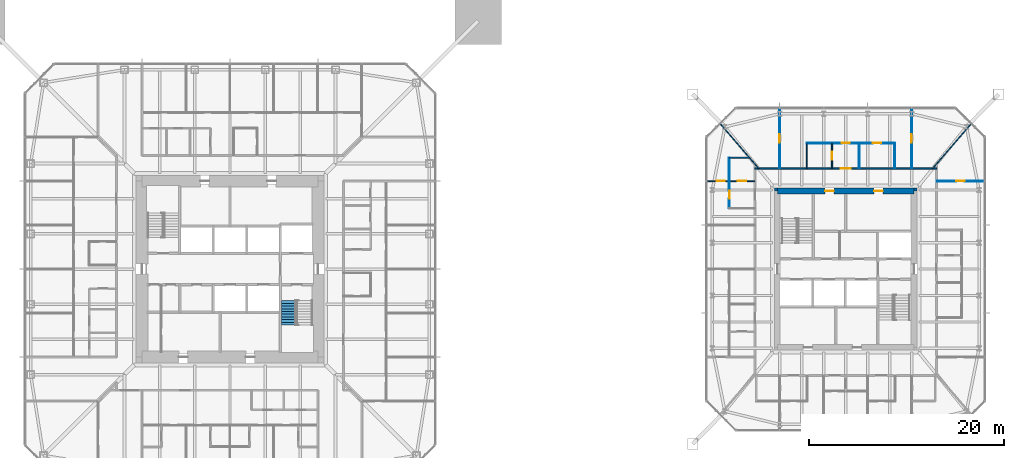
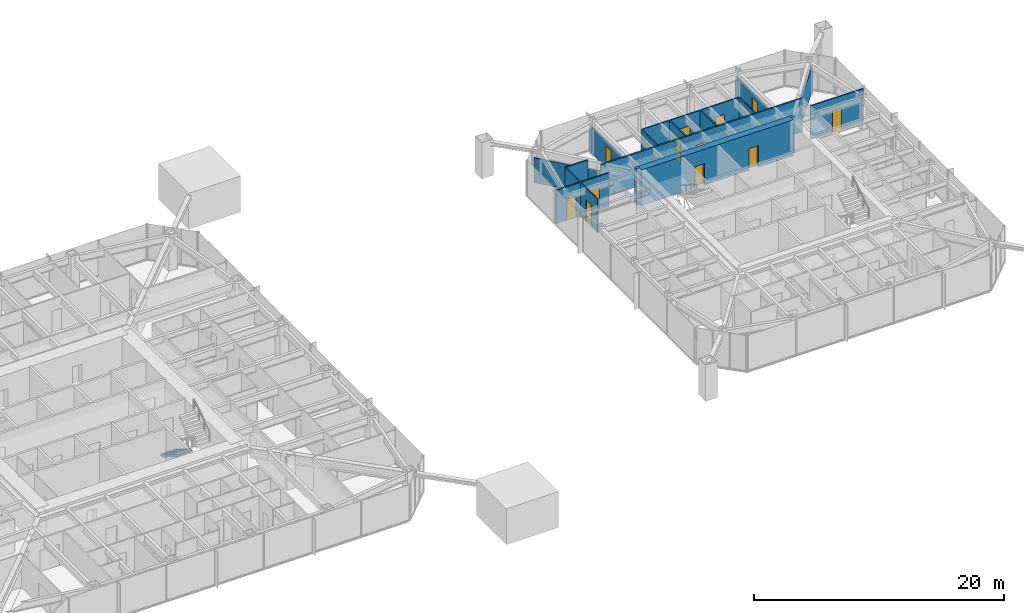
# One storey, part 19 of 25: 17 walls, 12 doors, 1 stair flight, 12 openings, 1 element without a shape of its own.
"""IFC4 building model written with IfcOpenShell, lengths in metres."""

from ifc_helpers import new_model, si_unit, direction, frame, frame_2d, origin, place, context, subcontext, project, spatial, polyline, rectangle, outline, extrude, material, layer, layer_set, constituent, constituent_set, type_object, element, fill, aggregate, save


model = new_model("IFC4")

# Units and contexts
model_context = context("Model", 3, precision=1e-05, world=origin(), true_north=direction((0.0, 1.0)))
body_context = subcontext(model_context, "Body", "Model", "MODEL_VIEW")
ifc_project = project(units=[si_unit("LENGTHUNIT", "METRE"), si_unit("AREAUNIT", "SQUARE_METRE"), si_unit("VOLUMEUNIT", "CUBIC_METRE"), si_unit("PLANEANGLEUNIT", "RADIAN"), si_unit("MASSUNIT", "GRAM", prefix="KILO")], contexts=[model_context])

# Site, building, storey
site_placement = place(None, origin())
site = spatial("IfcSite", under=ifc_project, at=site_placement, CompositionType="ELEMENT")
building_placement = place(site_placement, origin())
building = spatial("IfcBuilding", under=site, at=building_placement, Name="Iwan Alto Co-Living Towers", CompositionType="ELEMENT")
storey_placement = place(building_placement, frame((0.0, 0.0, 84.0)))
storey = spatial("IfcBuildingStorey", under=building, at=storey_placement, Name="L22", CompositionType="ELEMENT", Elevation=84.0)

# Wall, opening, door
ifc_material_1 = material(Name="Gypsum board")
ifc_layer_1 = layer(ifc_material_1, 0.02490234375, Name="Board", Category="Finish")
ifc_material_2 = material(Name="Steel ASTM A1003 ST33H cold-formed studs", Category="steel")
ifc_layer_2 = layer(ifc_material_2, 0.10009765625, Name="Studs", Category="Framing")
ifc_layer_3 = layer(ifc_material_1, 0.02490234375, Name="Board", Category="Finish")
ifc_layer_set_1 = layer_set([ifc_layer_1, ifc_layer_2, ifc_layer_3], Name="CORRIDOR WALL 150")
wall_type_1 = type_object("IfcWallType", Name="CORRIDOR WALL 150", PredefinedType="PARTITIONING", material=ifc_layer_set_1)
wall_1_placement = place(storey_placement, frame((53.699951171875, 10.300048828125, 0.0), z_axis=(0.0, 0.0, 1.0), x_axis=(1.0, 0.0, 0.0)))
wall_1 = element("IfcWall", 1, at=wall_1_placement, inside=storey, type_object=wall_type_1, Name="Partition L22", PredefinedType="PARTITIONING", context=body_context, shape_type="SweptSolid", body=[
    extrude(rectangle(XDim=18.60009765625, YDim=0.14990234375, at=frame_2d((9.300048828125, 0.0))), origin(), (0.0, 0.0, 1.0), 3.27001953125),
])
opening_1_placement = place(wall_1_placement, frame((8.800048828125, 0.0, 0.0)))
opening_1 = element("IfcOpeningElement", 2, at=opening_1_placement, cuts=wall_1, Name="Opening D3", PredefinedType="OPENING", context=body_context, shape_type="SweptSolid", body=[
    extrude(rectangle(XDim=1.0, YDim=2.10009765625, at=frame_2d((0.5, 1.050048828125))), frame((0.0, 0.0849609375, 0.0), z_axis=(0.0, -1.0, 0.0), x_axis=(1.0, 0.0, 0.0)), (0.0, 0.0, 1.0), 0.169921875),
])
ifc_material_3 = material(Name="Steel frame with timber leaf", Category="steel")
door_type_1 = type_object("IfcDoorType", Name="FLAT ENTRANCE DOOR FD30S 1000X2100", OperationType="SINGLE_SWING_LEFT", PredefinedType="DOOR", material=ifc_material_3)
door_1_placement = place(opening_1_placement, origin())
door_1 = element("IfcDoor", 3, at=door_1_placement, inside=storey, type_object=door_type_1, Name="Apartment foyer door L22", OperationType="SINGLE_SWING_LEFT", OverallHeight=2.10009765625, OverallWidth=1.0, PredefinedType="DOOR", context=body_context, shape_type="SweptSolid", body=[
    extrude(rectangle(XDim=1.0, YDim=2.10009765625, at=frame_2d((0.5, 1.050048828125))), frame((0.0, 0.02490234375, 0.0), z_axis=(0.0, -1.0, 0.0), x_axis=(1.0, 0.0, 0.0)), (0.0, 0.0, 1.0), 0.050048828125),
])
fill(opening_1, door_1)

ifc_layer_4 = layer(ifc_material_1, 0.012451171875, Name="Board", Category="Finish")
ifc_layer_5 = layer(ifc_material_2, 0.074951171875, Name="Studs", Category="Framing")
ifc_layer_6 = layer(ifc_material_1, 0.012451171875, Name="Board", Category="Finish")
ifc_layer_set_2 = layer_set([ifc_layer_4, ifc_layer_5, ifc_layer_6], Name="PARTITION 100")
wall_type_2 = type_object("IfcWallType", Name="PARTITION 100", PredefinedType="PARTITIONING", material=ifc_layer_set_2)
wall_2_placement = place(storey_placement, frame((72.300048828125, 9.0, 0.0), z_axis=(0.0, 0.0, 1.0), x_axis=(1.0, 0.0, 0.0)))
wall_2 = element("IfcWall", 4, at=wall_2_placement, inside=storey, type_object=wall_type_2, Name="Partition L22", PredefinedType="PARTITIONING", context=body_context, shape_type="SweptSolid", body=[
    extrude(rectangle(XDim=4.889892578125, YDim=0.10009765625, at=frame_2d((2.44482421875, 0.0))), origin(), (0.0, 0.0, 1.0), 3.27001953125),
])
opening_2_placement = place(wall_2_placement, frame((2.02001953125, 0.0, 0.0)))
opening_2 = element("IfcOpeningElement", 5, at=opening_2_placement, cuts=wall_2, Name="Opening D2", PredefinedType="OPENING", context=body_context, shape_type="SweptSolid", body=[
    extrude(rectangle(XDim=0.85009765625, YDim=2.10009765625, at=frame_2d((0.425048828125, 1.050048828125))), frame((0.0, 0.06005859375, 0.0), z_axis=(0.0, -1.0, 0.0), x_axis=(1.0, 0.0, 0.0)), (0.0, 0.0, 1.0), 0.1201171875),
])
ifc_material_4 = material(Name="Timber leaf in steel frame", Category="steel")
door_type_2 = type_object("IfcDoorType", Name="ROOM DOOR 850X2100", OperationType="SINGLE_SWING_LEFT", PredefinedType="DOOR", material=ifc_material_4)
door_2_placement = place(opening_2_placement, frame((0.85009765625, 0.0, 0.0), z_axis=(0.0, 0.0, 1.0), x_axis=(-1.0, 0.0, 0.0)))
door_2 = element("IfcDoor", 6, at=door_2_placement, inside=storey, type_object=door_type_2, Name="Bedroom door L22", OperationType="SINGLE_SWING_RIGHT", OverallHeight=2.10009765625, OverallWidth=0.85009765625, PredefinedType="DOOR", context=body_context, shape_type="SweptSolid", body=[
    extrude(rectangle(XDim=0.85009765625, YDim=2.10009765625, at=frame_2d((0.425048828125, 1.050048828125))), frame((0.0, 0.02490234375, 0.0), z_axis=(0.0, -1.0, 0.0), x_axis=(1.0, 0.0, 0.0)), (0.0, 0.0, 1.0), 0.050048828125),
])
fill(opening_2, door_2)

# Wall, openings, doors
wall_3_placement = place(storey_placement, frame((59.0, 12.89990234375, 0.0), z_axis=(0.0, 0.0, 1.0), x_axis=(1.0, 0.0, 0.0)))
wall_3 = element("IfcWall", 7, at=wall_3_placement, inside=storey, type_object=wall_type_2, Name="Partition L22", PredefinedType="PARTITIONING", context=body_context, shape_type="SweptSolid", body=[
    extrude(rectangle(XDim=9.0, YDim=0.10009765625, at=frame_2d((4.5, 0.0))), origin(), (0.0, 0.0, 1.0), 3.27001953125),
])
opening_3_placement = place(wall_3_placement, frame((6.77490234375, 0.0, 0.0)))
opening_3 = element("IfcOpeningElement", 8, at=opening_3_placement, cuts=wall_3, Name="Opening D2", PredefinedType="OPENING", context=body_context, shape_type="SweptSolid", body=[
    extrude(rectangle(XDim=0.85009765625, YDim=2.10009765625, at=frame_2d((0.425048828125, 1.050048828125))), frame((0.0, 0.06005859375, 0.0), z_axis=(0.0, -1.0, 0.0), x_axis=(1.0, 0.0, 0.0)), (0.0, 0.0, 1.0), 0.1201171875),
])
opening_4_placement = place(wall_3_placement, frame((3.574951171875, 0.0, 0.0)))
opening_4 = element("IfcOpeningElement", 9, at=opening_4_placement, cuts=wall_3, Name="Opening D2", PredefinedType="OPENING", context=body_context, shape_type="SweptSolid", body=[
    extrude(rectangle(XDim=0.85009765625, YDim=2.10009765625, at=frame_2d((0.425048828125, 1.050048828125))), frame((0.0, 0.06005859375, 0.0), z_axis=(0.0, -1.0, 0.0), x_axis=(1.0, 0.0, 0.0)), (0.0, 0.0, 1.0), 0.1201171875),
])
door_3_placement = place(opening_3_placement, origin())
door_3 = element("IfcDoor", 10, at=door_3_placement, inside=storey, type_object=door_type_2, Name="Kitchen door L22", OperationType="SINGLE_SWING_RIGHT", OverallHeight=2.10009765625, OverallWidth=0.85009765625, PredefinedType="DOOR", context=body_context, shape_type="SweptSolid", body=[
    extrude(rectangle(XDim=0.85009765625, YDim=2.10009765625, at=frame_2d((0.425048828125, 1.050048828125))), frame((0.0, 0.02490234375, 0.0), z_axis=(0.0, -1.0, 0.0), x_axis=(1.0, 0.0, 0.0)), (0.0, 0.0, 1.0), 0.050048828125),
])
fill(opening_3, door_3)
door_4_placement = place(opening_4_placement, origin())
door_4 = element("IfcDoor", 11, at=door_4_placement, inside=storey, type_object=door_type_2, Name="Apartment foyer door L22", OperationType="SINGLE_SWING_LEFT", OverallHeight=2.10009765625, OverallWidth=0.85009765625, PredefinedType="DOOR", context=body_context, shape_type="SweptSolid", body=[
    extrude(rectangle(XDim=0.85009765625, YDim=2.10009765625, at=frame_2d((0.425048828125, 1.050048828125))), frame((0.0, 0.02490234375, 0.0), z_axis=(0.0, -1.0, 0.0), x_axis=(1.0, 0.0, 0.0)), (0.0, 0.0, 1.0), 0.050048828125),
])
fill(opening_4, door_4)

# Wall
wall_4_placement = place(storey_placement, frame((71.89501953125, 10.300048828125, 0.0), z_axis=(0.0, 0.0, 1.0), x_axis=(0.65378286253, 0.756682211144, 0.0)))
element("IfcWall", 12, at=wall_4_placement, inside=storey, type_object=wall_type_2, Name="Partition L22", PredefinedType="PARTITIONING", context=body_context, shape_type="SweptSolid", body=[
    extrude(rectangle(XDim=6.005126953125, YDim=0.10009765625, at=frame_2d((3.00244140625, 0.0))), origin(), (0.0, 0.0, 1.0), 2.42919921875),
])

# Wall, opening, door
wall_5_placement = place(storey_placement, frame((69.75, 10.300048828125, 0.0), z_axis=(0.0, 0.0, 1.0), x_axis=(0.0, 1.0, 0.0)))
wall_5 = element("IfcWall", 13, at=wall_5_placement, inside=storey, type_object=wall_type_2, Name="Partition L22", PredefinedType="PARTITIONING", context=body_context, shape_type="SweptSolid", body=[
    extrude(rectangle(XDim=6.139892578125, YDim=0.10009765625, at=frame_2d((3.06982421875, 0.0))), origin(), (0.0, 0.0, 1.0), 2.586669921875),
])
opening_5_placement = place(wall_5_placement, frame((2.64501953125, 0.0, 0.0)))
opening_5 = element("IfcOpeningElement", 14, at=opening_5_placement, cuts=wall_5, Name="Opening D2", PredefinedType="OPENING", context=body_context, shape_type="SweptSolid", body=[
    extrude(rectangle(XDim=0.85009765625, YDim=2.10009765625, at=frame_2d((0.425048828125, 1.050048828125))), frame((0.0, 0.06005859375, 0.0), z_axis=(0.0, -1.0, 0.0), x_axis=(1.0, 0.0, 0.0)), (0.0, 0.0, 1.0), 0.1201171875),
])
door_5_placement = place(opening_5_placement, origin())
door_5 = element("IfcDoor", 15, at=door_5_placement, inside=storey, type_object=door_type_2, Name="Bedroom door L22", OperationType="SINGLE_SWING_LEFT", OverallHeight=2.10009765625, OverallWidth=0.85009765625, PredefinedType="DOOR", context=body_context, shape_type="SweptSolid", body=[
    extrude(rectangle(XDim=0.85009765625, YDim=2.10009765625, at=frame_2d((0.425048828125, 1.050048828125))), frame((0.0, 0.02490234375, 0.0), z_axis=(0.0, -1.0, 0.0), x_axis=(1.0, 0.0, 0.0)), (0.0, 0.0, 1.0), 0.050048828125),
])
fill(opening_5, door_5)

# Walls
for number, where, z_axis, x_axis, name in (
    (16, (68.0, 10.300048828125, 0.0), (0.0, 0.0, 1.0), (0.0, 1.0, 0.0), "Partition L22"),
    (17, (64.39990234375, 10.300048828125, 0.0), (0.0, 0.0, 1.0), (0.0, 1.0, 0.0), "Partition L22"),
):
    element("IfcWall", number, at=place(storey_placement, frame(where, z_axis=z_axis, x_axis=x_axis)), inside=storey, type_object=wall_type_2, Name=name, PredefinedType="PARTITIONING", context=body_context, shape_type="SweptSolid", body=[
        extrude(rectangle(XDim=2.599853515625, YDim=0.10009765625, at=frame_2d((1.2998046875, 0.0))), origin(), (0.0, 0.0, 1.0), 3.27001953125),
    ])

# Wall, opening, door
wall_6_placement = place(storey_placement, frame((56.25, 10.300048828125, 0.0), z_axis=(0.0, 0.0, 1.0), x_axis=(0.0, 1.0, 0.0)))
wall_6 = element("IfcWall", 18, at=wall_6_placement, inside=storey, type_object=wall_type_2, Name="Partition L22", PredefinedType="PARTITIONING", context=body_context, shape_type="SweptSolid", body=[
    extrude(rectangle(XDim=6.139892578125, YDim=0.10009765625, at=frame_2d((3.06982421875, 0.0))), origin(), (0.0, 0.0, 1.0), 2.586669921875),
])
opening_6_placement = place(wall_6_placement, frame((2.64501953125, 0.0, 0.0)))
opening_6 = element("IfcOpeningElement", 19, at=opening_6_placement, cuts=wall_6, Name="Opening D2", PredefinedType="OPENING", context=body_context, shape_type="SweptSolid", body=[
    extrude(rectangle(XDim=0.85009765625, YDim=2.10009765625, at=frame_2d((0.425048828125, 1.050048828125))), frame((0.0, 0.06005859375, 0.0), z_axis=(0.0, -1.0, 0.0), x_axis=(1.0, 0.0, 0.0)), (0.0, 0.0, 1.0), 0.1201171875),
])
door_6_placement = place(opening_6_placement, frame((0.85009765625, 0.0, 0.0), z_axis=(0.0, 0.0, 1.0), x_axis=(-1.0, 0.0, 0.0)))
door_6 = element("IfcDoor", 20, at=door_6_placement, inside=storey, type_object=door_type_2, Name="Bedroom door L22", OperationType="SINGLE_SWING_RIGHT", OverallHeight=2.10009765625, OverallWidth=0.85009765625, PredefinedType="DOOR", context=body_context, shape_type="SweptSolid", body=[
    extrude(rectangle(XDim=0.85009765625, YDim=2.10009765625, at=frame_2d((0.425048828125, 1.050048828125))), frame((0.0, 0.02490234375, 0.0), z_axis=(0.0, -1.0, 0.0), x_axis=(1.0, 0.0, 0.0)), (0.0, 0.0, 1.0), 0.050048828125),
])
fill(opening_6, door_6)

wall_7_placement = place(storey_placement, frame((51.10009765625, 6.199951171875, 0.0), z_axis=(0.0, 0.0, 1.0), x_axis=(0.0, 1.0, 0.0)))
wall_7 = element("IfcWall", 21, at=wall_7_placement, inside=storey, type_object=wall_type_2, Name="Partition L22", PredefinedType="PARTITIONING", context=body_context, shape_type="SweptSolid", body=[
    extrude(rectangle(XDim=5.199951171875, YDim=0.10009765625, at=frame_2d((2.60009765625, 0.0))), origin(), (0.0, 0.0, 1.0), 3.27001953125),
])
opening_7_placement = place(wall_7_placement, frame((0.97509765625, 0.0, 0.0)))
opening_7 = element("IfcOpeningElement", 22, at=opening_7_placement, cuts=wall_7, Name="Opening D2", PredefinedType="OPENING", context=body_context, shape_type="SweptSolid", body=[
    extrude(rectangle(XDim=0.85009765625, YDim=2.10009765625, at=frame_2d((0.425048828125, 1.050048828125))), frame((0.0, 0.06005859375, 0.0), z_axis=(0.0, -1.0, 0.0), x_axis=(1.0, 0.0, 0.0)), (0.0, 0.0, 1.0), 0.1201171875),
])
door_7_placement = place(opening_7_placement, origin())
door_7 = element("IfcDoor", 23, at=door_7_placement, inside=storey, type_object=door_type_2, Name="Apartment foyer door L22", OperationType="SINGLE_SWING_RIGHT", OverallHeight=2.10009765625, OverallWidth=0.85009765625, PredefinedType="DOOR", context=body_context, shape_type="SweptSolid", body=[
    extrude(rectangle(XDim=0.85009765625, YDim=2.10009765625, at=frame_2d((0.425048828125, 1.050048828125))), frame((0.0, 0.02490234375, 0.0), z_axis=(0.0, -1.0, 0.0), x_axis=(1.0, 0.0, 0.0)), (0.0, 0.0, 1.0), 0.050048828125),
])
fill(opening_7, door_7)

# Walls
wall_8_placement = place(storey_placement, frame((54.10498046875, 10.300048828125, 0.0), z_axis=(0.0, 0.0, 1.0), x_axis=(-0.653606109319, 0.756834892074, 0.0)))
element("IfcWall", 24, at=wall_8_placement, inside=storey, type_object=wall_type_2, Name="Partition L22", PredefinedType="PARTITIONING", context=body_context, shape_type="SweptSolid", body=[
    extrude(rectangle(XDim=6.0048828125, YDim=0.10009765625, at=frame_2d((3.00244140625, 0.0))), origin(), (0.0, 0.0, 1.0), 2.42919921875),
])
ifc_material_5 = material(Name="Concrete f'c 70 MPa", Category="concrete")
ifc_layer_7 = layer(ifc_material_5, 0.300048828125)
ifc_layer_set_3 = layer_set([ifc_layer_7], Name="T2 CORE CORNER FILL 300")
wall_type_3 = type_object("IfcWallType", Name="T2 CORE CORNER FILL 300", PredefinedType="SOLIDWALL", material=ifc_layer_set_3)
for number, where, z_axis, x_axis, name in (
    (25, (70.0, 8.14990234375, 0.0), (0.0, 0.0, 1.0), (1.0, 0.0, 0.0), "T2 core corner NE L22"),
    (26, (55.699951171875, 8.14990234375, 0.0), (0.0, 0.0, 1.0), (1.0, 0.0, 0.0), "T2 core corner NW L22"),
):
    element("IfcWall", number, at=place(storey_placement, frame(where, z_axis=z_axis, x_axis=x_axis)), inside=storey, type_object=wall_type_3, Name=name, PredefinedType="SOLIDWALL", context=body_context, shape_type="SweptSolid", body=[
        extrude(rectangle(XDim=0.300048828125, YDim=0.300048828125, at=frame_2d((0.14990234375, 0.0))), origin(), (0.0, 0.0, 1.0), 3.5),
    ])

# Wall, openings, doors
ifc_material_6 = material(Name="Concrete f'c 70 MPa", Category="concrete")
ifc_layer_8 = layer(ifc_material_6, 0.60009765625)
ifc_layer_set_4 = layer_set([ifc_layer_8], Name="T2 CORE WALL 600")
wall_type_4 = type_object("IfcWallType", Name="T2 CORE WALL 600", PredefinedType="SHEAR", material=ifc_layer_set_4)
wall_9_placement = place(storey_placement, frame((70.0, 8.0, 0.0), z_axis=(0.0, 0.0, 1.0), x_axis=(-1.0, 0.0, 0.0)))
wall_9 = element("IfcWall", 27, at=wall_9_placement, inside=storey, type_object=wall_type_4, Name="T2 core wall N L22", PredefinedType="SHEAR", context=body_context, shape_type="SweptSolid", body=[
    extrude(rectangle(XDim=14.0, YDim=0.60009765625, at=frame_2d((7.0, 0.0))), origin(), (0.0, 0.0, 1.0), 3.5),
])
opening_8_placement = place(wall_9_placement, frame((8.199951171875, 0.0, 0.0)))
opening_8 = element("IfcOpeningElement", 28, at=opening_8_placement, cuts=wall_9, Name="Opening D8", PredefinedType="OPENING", context=body_context, shape_type="SweptSolid", body=[
    extrude(rectangle(XDim=0.89990234375, YDim=2.10009765625, at=frame_2d((0.449951171875, 1.050048828125))), frame((0.0, 0.31005859375, 0.0), z_axis=(0.0, -1.0, 0.0), x_axis=(1.0, 0.0, 0.0)), (0.0, 0.0, 1.0), 0.6201171875),
])
opening_9_placement = place(wall_9_placement, frame((3.199951171875, 0.0, 0.0)))
opening_9 = element("IfcOpeningElement", 29, at=opening_9_placement, cuts=wall_9, Name="Opening D8", PredefinedType="OPENING", context=body_context, shape_type="SweptSolid", body=[
    extrude(rectangle(XDim=0.89990234375, YDim=2.10009765625, at=frame_2d((0.449951171875, 1.050048828125))), frame((0.0, 0.31005859375, 0.0), z_axis=(0.0, -1.0, 0.0), x_axis=(1.0, 0.0, 0.0)), (0.0, 0.0, 1.0), 0.6201171875),
])
ifc_material_7 = material(Name="Steel frame with timber leaf", Category="steel")
door_type_3 = type_object("IfcDoorType", Name="RISER DOOR FD120 900X2100", OperationType="SINGLE_SWING_LEFT", PredefinedType="DOOR", material=ifc_material_7)
door_8_placement = place(opening_8_placement, origin())
door_8 = element("IfcDoor", 30, at=door_8_placement, inside=storey, type_object=door_type_3, Name="Electrical riser core door L22", OperationType="SINGLE_SWING_RIGHT", OverallHeight=2.10009765625, OverallWidth=0.89990234375, PredefinedType="DOOR", context=body_context, shape_type="SweptSolid", body=[
    extrude(rectangle(XDim=0.89990234375, YDim=2.10009765625, at=frame_2d((0.449951171875, 1.050048828125))), frame((0.0, 0.02490234375, 0.0), z_axis=(0.0, -1.0, 0.0), x_axis=(1.0, 0.0, 0.0)), (0.0, 0.0, 1.0), 0.050048828125),
])
fill(opening_8, door_8)
door_9_placement = place(opening_9_placement, origin())
door_9 = element("IfcDoor", 31, at=door_9_placement, inside=storey, type_object=door_type_3, Name="Water and drainage riser core door L22", OperationType="SINGLE_SWING_RIGHT", OverallHeight=2.10009765625, OverallWidth=0.89990234375, PredefinedType="DOOR", context=body_context, shape_type="SweptSolid", body=[
    extrude(rectangle(XDim=0.89990234375, YDim=2.10009765625, at=frame_2d((0.449951171875, 1.050048828125))), frame((0.0, 0.02490234375, 0.0), z_axis=(0.0, -1.0, 0.0), x_axis=(1.0, 0.0, 0.0)), (0.0, 0.0, 1.0), 0.050048828125),
])
fill(opening_9, door_9)

ifc_material_8 = material(Name="Cement board")
ifc_layer_9 = layer(ifc_material_8, 0.012451171875, Name="Board", Category="Finish")
ifc_layer_10 = layer(ifc_material_2, 0.094970703125, Name="Studs", Category="Framing")
ifc_layer_11 = layer(ifc_material_8, 0.012451171875, Name="Board", Category="Finish")
ifc_layer_set_5 = layer_set([ifc_layer_9, ifc_layer_10, ifc_layer_11], Name="WET AREA PARTITION 120")
wall_type_5 = type_object("IfcWallType", Name="WET AREA PARTITION 120", PredefinedType="PARTITIONING", material=ifc_layer_set_5)
wall_10_placement = place(storey_placement, frame((48.81005859375, 9.0, 0.0), z_axis=(0.0, 0.0, 1.0), x_axis=(1.0, 0.0, 0.0)))
wall_10 = element("IfcWall", 32, at=wall_10_placement, inside=storey, type_object=wall_type_5, Name="Partition L22", PredefinedType="PARTITIONING", context=body_context, shape_type="SweptSolid", body=[
    extrude(rectangle(XDim=4.889892578125, YDim=0.1201171875, at=frame_2d((2.44482421875, 0.0))), origin(), (0.0, 0.0, 1.0), 3.27001953125),
])
opening_10_placement = place(wall_10_placement, frame((3.1650390625, 0.0, 0.0)))
opening_10 = element("IfcOpeningElement", 33, at=opening_10_placement, cuts=wall_10, Name="Opening D2", PredefinedType="OPENING", context=body_context, shape_type="SweptSolid", body=[
    extrude(rectangle(XDim=0.85009765625, YDim=2.10009765625, at=frame_2d((0.425048828125, 1.050048828125))), frame((0.0, 0.070068359375, 0.0), z_axis=(0.0, -1.0, 0.0), x_axis=(1.0, 0.0, 0.0)), (0.0, 0.0, 1.0), 0.14013671875),
])
opening_11_placement = place(wall_10_placement, frame((0.989990234375, 0.0, 0.0)))
opening_11 = element("IfcOpeningElement", 34, at=opening_11_placement, cuts=wall_10, Name="Opening D2", PredefinedType="OPENING", context=body_context, shape_type="SweptSolid", body=[
    extrude(rectangle(XDim=0.85009765625, YDim=2.10009765625, at=frame_2d((0.425048828125, 1.050048828125))), frame((0.0, 0.070068359375, 0.0), z_axis=(0.0, -1.0, 0.0), x_axis=(1.0, 0.0, 0.0)), (0.0, 0.0, 1.0), 0.14013671875),
])
door_10_placement = place(opening_10_placement, origin())
door_10 = element("IfcDoor", 35, at=door_10_placement, inside=storey, type_object=door_type_2, Name="Bathroom door L22", OperationType="SINGLE_SWING_LEFT", OverallHeight=2.10009765625, OverallWidth=0.85009765625, PredefinedType="DOOR", context=body_context, shape_type="SweptSolid", body=[
    extrude(rectangle(XDim=0.85009765625, YDim=2.10009765625, at=frame_2d((0.425048828125, 1.050048828125))), frame((0.0, 0.02490234375, 0.0), z_axis=(0.0, -1.0, 0.0), x_axis=(1.0, 0.0, 0.0)), (0.0, 0.0, 1.0), 0.050048828125),
])
fill(opening_10, door_10)
door_11_placement = place(opening_11_placement, origin())
door_11 = element("IfcDoor", 36, at=door_11_placement, inside=storey, type_object=door_type_2, Name="Bedroom door L22", OperationType="SINGLE_SWING_RIGHT", OverallHeight=2.10009765625, OverallWidth=0.85009765625, PredefinedType="DOOR", context=body_context, shape_type="SweptSolid", body=[
    extrude(rectangle(XDim=0.85009765625, YDim=2.10009765625, at=frame_2d((0.425048828125, 1.050048828125))), frame((0.0, 0.02490234375, 0.0), z_axis=(0.0, -1.0, 0.0), x_axis=(1.0, 0.0, 0.0)), (0.0, 0.0, 1.0), 0.050048828125),
])
fill(opening_11, door_11)

# Wall
wall_11_placement = place(storey_placement, frame((51.10009765625, 11.39990234375, 0.0), z_axis=(0.0, 0.0, 1.0), x_axis=(1.0, 0.0, 0.0)))
element("IfcWall", 37, at=wall_11_placement, inside=storey, type_object=wall_type_5, Name="Partition L22", PredefinedType="PARTITIONING", context=body_context, shape_type="SweptSolid", body=[
    extrude(rectangle(XDim=2.054931640625, YDim=0.1201171875, at=frame_2d((1.02734375, 0.0))), origin(), (0.0, 0.0, 1.0), 3.27001953125),
])

# Wall, opening, door
wall_12_placement = place(storey_placement, frame((61.60009765625, 10.300048828125, 0.0), z_axis=(0.0, 0.0, 1.0), x_axis=(0.0, 1.0, 0.0)))
wall_12 = element("IfcWall", 38, at=wall_12_placement, inside=storey, type_object=wall_type_5, Name="Partition L22", PredefinedType="PARTITIONING", context=body_context, shape_type="SweptSolid", body=[
    extrude(rectangle(XDim=2.599853515625, YDim=0.1201171875, at=frame_2d((1.2998046875, 0.0))), origin(), (0.0, 0.0, 1.0), 3.27001953125),
])
opening_12_placement = place(wall_12_placement, frame((0.875, 0.0, 0.0)))
opening_12 = element("IfcOpeningElement", 39, at=opening_12_placement, cuts=wall_12, Name="Opening D2", PredefinedType="OPENING", context=body_context, shape_type="SweptSolid", body=[
    extrude(rectangle(XDim=0.85009765625, YDim=2.10009765625, at=frame_2d((0.425048828125, 1.050048828125))), frame((0.0, 0.070068359375, 0.0), z_axis=(0.0, -1.0, 0.0), x_axis=(1.0, 0.0, 0.0)), (0.0, 0.0, 1.0), 0.14013671875),
])
door_12_placement = place(opening_12_placement, origin())
door_12 = element("IfcDoor", 40, at=door_12_placement, inside=storey, type_object=door_type_2, Name="Bathroom door L22", OperationType="SINGLE_SWING_LEFT", OverallHeight=2.10009765625, OverallWidth=0.85009765625, PredefinedType="DOOR", context=body_context, shape_type="SweptSolid", body=[
    extrude(rectangle(XDim=0.85009765625, YDim=2.10009765625, at=frame_2d((0.425048828125, 1.050048828125))), frame((0.0, 0.02490234375, 0.0), z_axis=(0.0, -1.0, 0.0), x_axis=(1.0, 0.0, 0.0)), (0.0, 0.0, 1.0), 0.050048828125),
])
fill(opening_12, door_12)

# Wall
wall_13_placement = place(storey_placement, frame((59.0, 10.300048828125, 0.0), z_axis=(0.0, 0.0, 1.0), x_axis=(0.0, 1.0, 0.0)))
element("IfcWall", 41, at=wall_13_placement, inside=storey, type_object=wall_type_5, Name="Partition L22", PredefinedType="PARTITIONING", context=body_context, shape_type="SweptSolid", body=[
    extrude(rectangle(XDim=2.599853515625, YDim=0.1201171875, at=frame_2d((1.2998046875, 0.0))), origin(), (0.0, 0.0, 1.0), 3.27001953125),
])

# Stair, stair flight
ifc_material_9 = material(Name="Steel ASTM A36", Category="steel")
ifc_constituent_1 = constituent(ifc_material_9, Name="Stringers", Category="LoadBearing")
ifc_material_10 = material(Name="Concrete f'c 30 MPa", Category="concrete")
ifc_constituent_2 = constituent(ifc_material_10, Name="Tread fill", Category="Finish")
ifc_constituent_set_1 = constituent_set(constituents=[ifc_constituent_1, ifc_constituent_2], Name="STAIR 3500 TWO-FLIGHT T1 CORE")
stair_type = type_object("IfcStairType", Name="STAIR 3500 TWO-FLIGHT T1 CORE", PredefinedType="HALF_TURN_STAIR", material=ifc_constituent_set_1)
stair_placement = place(storey_placement, origin())
stair = element("IfcStair", 42, at=stair_placement, inside=storey, type_object=stair_type, Name="Stair T1-S2 L22 to L23", PredefinedType="HALF_TURN_STAIR")
ifc_constituent_3 = constituent(ifc_material_9, Name="Stringers", Category="LoadBearing")
ifc_constituent_4 = constituent(ifc_material_10, Name="Tread fill", Category="Finish")
ifc_constituent_set_2 = constituent_set(constituents=[ifc_constituent_3, ifc_constituent_4], Name="STAIR FLIGHT 10 RISERS 280 GOING")
stair_flight_type = type_object("IfcStairFlightType", Name="STAIR FLIGHT 10 RISERS 280 GOING", PredefinedType="STRAIGHT", material=ifc_constituent_set_2)
stair_flight_placement = place(storey_placement, frame((6.010009765625, -3.219970703125, 0.0), z_axis=(0.0, 0.0, 1.0), x_axis=(0.0, -1.0, 0.0)))
stair_flight = element("IfcStairFlight", 43, at=stair_flight_placement, type_object=stair_flight_type, Name="T1-S2 flight 1", NumberOfRisers=10, NumberOfTreads=9, PredefinedType="STRAIGHT", RiserHeight=0.175, TreadLength=0.28, context=body_context, shape_type="SweptSolid", body=[
    extrude(outline(polyline([(0.0, 0.0), (0.0, 0.175048828125), (0.280029296875, 0.175048828125), (0.280029296875, 0.35009765625), (0.56005859375, 0.35009765625), (0.56005859375, 0.52490234375), (0.840087890625, 0.52490234375), (0.840087890625, 0.699951171875), (1.1201171875, 0.699951171875), (1.1201171875, 0.875), (1.39990234375, 0.875), (1.39990234375, 1.050048828125), (1.679931640625, 1.050048828125), (1.679931640625, 1.22509765625), (1.9599609375, 1.22509765625), (1.9599609375, 1.39990234375), (2.239990234375, 1.39990234375), (2.239990234375, 1.574951171875), (2.52001953125, 1.574951171875), (2.52001953125, 1.75), (2.52001953125, 1.398193359375), (0.28271484375, 0.0), (0.0, 0.0)])), frame((0.0, 0.739990234375, 0.0), z_axis=(0.0, -1.0, 0.0), x_axis=(1.0, 0.0, 0.0)), (0.0, 0.0, 1.0), 1.47998046875),
])
aggregate(stair, [stair_flight])

save(model, "model.ifc")
